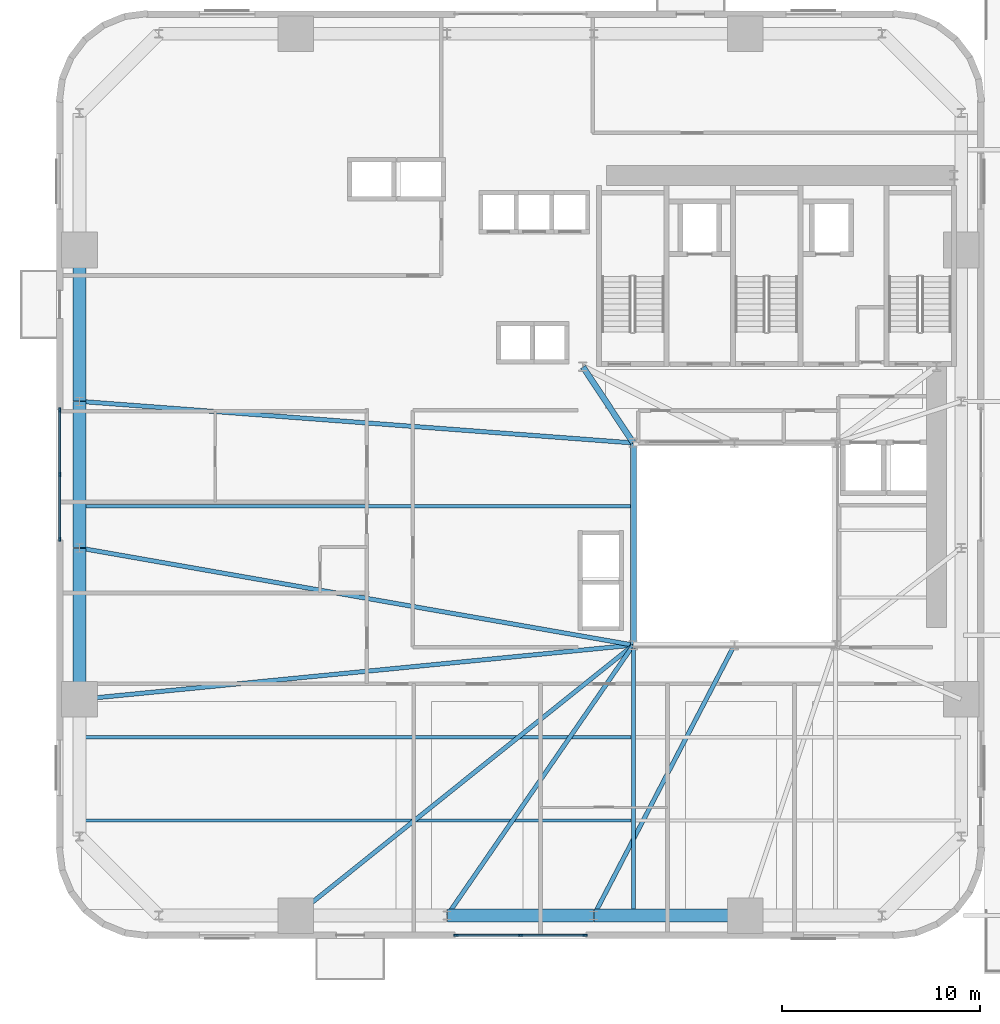
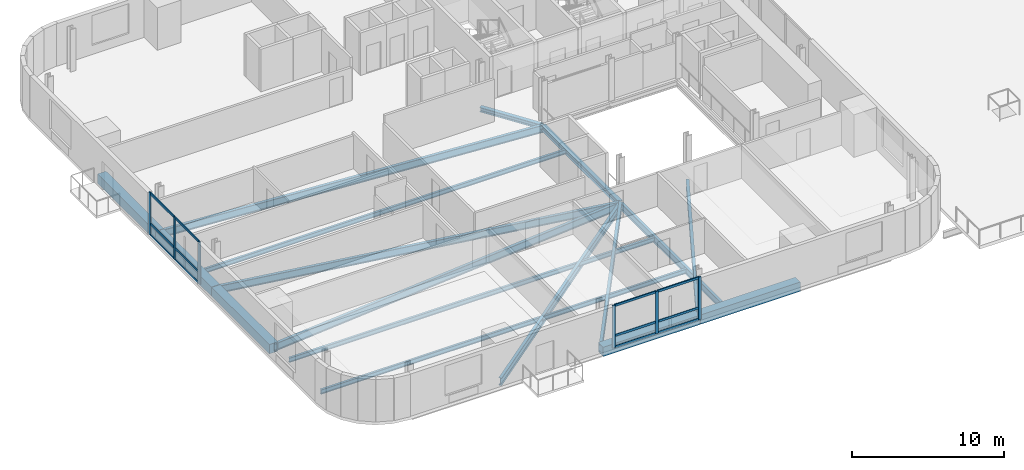
# One storey, part 2 of 18: 18 members, 17 beams, 2 elements without a shape of their own.
"""IFC4 building model written with IfcOpenShell, lengths in metres."""

import ifcopenshell
import ifcopenshell.guid

model = None  # the IFC model being written
_history = None  # IfcOwnerHistory: only IFC2X3 demands one
_inside = {}  # id of a spatial element -> (the spatial element, [elements in it])
_under = {}  # id of a project, library or spatial element -> (it, [spatial elements below it])
_declared = {}  # id of a project -> (the project, [libraries it declares])
_typed = {}  # id of a type object -> (the type object, [elements of that type])
_made_of = {}  # id of a material, layer set ... -> (it, [elements and type objects made of it])


def new_model(schema):
    """Start an empty IFC model of exactly this schema.

    Asked for "IFC4X3", IfcOpenShell would pick the latest addendum, in which some entities
    have other attributes; the version numbers below select the first issue.
    IFC2X3 requires an IfcOwnerHistory on every rooted entity: one is made here for all.
    """
    global model, _history
    if schema == "IFC4X3":
        model = ifcopenshell.file(schema_version=(4, 3, 0, 0))
    else:
        model = ifcopenshell.file(schema=schema)
    _inside.clear()
    _under.clear()
    _declared.clear()
    _typed.clear()
    _made_of.clear()
    _history = None
    if model.schema == "IFC2X3":
        org = make("IfcOrganization", Name="unknown")
        user = make(
            "IfcPersonAndOrganization",
            ThePerson=make("IfcPerson", FamilyName="unknown"),
            TheOrganization=org,
        )
        app = make(
            "IfcApplication",
            ApplicationDeveloper=org,
            Version="unknown",
            ApplicationFullName="unknown",
            ApplicationIdentifier="unknown",
        )
        _history = make(
            "IfcOwnerHistory",
            OwningUser=user,
            OwningApplication=app,
            ChangeAction="ADDED",
            CreationDate=0,
        )
    return model


def make(cls, **values):
    """One entity of the class cls with the attributes given. An attribute that is None is left unset."""
    return model.create_entity(
        cls, **{name: value for name, value in values.items() if value is not None}
    )


def rooted(cls, **values):
    """An entity with a GlobalId (a new one), such as an element, a storey or a relation."""
    return make(cls, GlobalId=ifcopenshell.guid.new(), OwnerHistory=_history, **values)


def si_unit(unit_type, name, prefix=None):
    """IfcSIUnit, for example si_unit("LENGTHUNIT", "METRE", prefix="MILLI")."""
    return make("IfcSIUnit", UnitType=unit_type, Prefix=prefix, Name=name)


def assignment(units):
    """IfcUnitAssignment: the units of a project."""
    return None if units is None else make("IfcUnitAssignment", Units=units)


def point(xyz):
    """IfcCartesianPoint."""
    return None if xyz is None else make("IfcCartesianPoint", Coordinates=xyz)


def direction(xyz):
    """IfcDirection."""
    return None if xyz is None else make("IfcDirection", DirectionRatios=xyz)


def frame(location, z_axis=None, x_axis=None):
    """IfcAxis2Placement3D, a coordinate frame: its origin and axes. An axis left out is left unset."""
    return make(
        "IfcAxis2Placement3D",
        Location=point(location),
        Axis=direction(z_axis),
        RefDirection=direction(x_axis),
    )


def frame_2d(location, x_axis=None):
    """IfcAxis2Placement2D, a coordinate frame in the plane: its origin and x axis."""
    return make(
        "IfcAxis2Placement2D", Location=point(location), RefDirection=direction(x_axis)
    )


def origin():
    """The frame at (0, 0, 0) with its axes left unset."""
    return frame((0.0, 0.0, 0.0))


def origin_2d():
    """The frame at (0, 0) in the plane with its x axis left unset."""
    return frame_2d((0.0, 0.0))


def place(relative_to, where):
    """IfcLocalPlacement: puts the frame where relative to a parent placement (None: the world)."""
    return make(
        "IfcLocalPlacement", PlacementRelTo=relative_to, RelativePlacement=where
    )


def context(
    kind, dimensions, precision=None, world=None, true_north=None, identifier=None
):
    """IfcGeometricRepresentationContext, for example the 3D "Model" context."""
    return make(
        "IfcGeometricRepresentationContext",
        ContextIdentifier=identifier,
        ContextType=kind,
        CoordinateSpaceDimension=dimensions,
        Precision=precision,
        WorldCoordinateSystem=world,
        TrueNorth=true_north,
    )


def subcontext(parent, identifier, kind, view, scale=None):
    """IfcGeometricRepresentationSubContext, for example "Body" below "Model"."""
    return make(
        "IfcGeometricRepresentationSubContext",
        ContextIdentifier=identifier,
        ContextType=kind,
        ParentContext=parent,
        TargetScale=scale,
        TargetView=view,
    )


def project(units=None, contexts=None):
    """IfcProject with its units and contexts."""
    return rooted(
        "IfcProject",
        Name="project",
        RepresentationContexts=contexts,
        UnitsInContext=assignment(units),
    )


def spatial(cls, under=None, at=None, **own):
    """A site, building, storey or space (cls), placed at a placement, below another one or the project."""
    s = rooted(cls, ObjectPlacement=at, **own)
    if under is not None:
        _under.setdefault(under.id(), (under, []))[1].append(s)
    return s


def profile(cls, at=None, kind="AREA", **sizes):
    """A parametric profile (cls). Its sizes go by their IFC names, for example OverallWidth=200.0."""
    return make(cls, ProfileType=kind, Position=at, **sizes)


def rectangle(**sizes):
    """IfcRectangleProfileDef."""
    return profile("IfcRectangleProfileDef", **sizes)


def i_section(**sizes):
    """IfcIShapeProfileDef."""
    return profile("IfcIShapeProfileDef", **sizes)


def extrude(swept, where, along, depth):
    """IfcExtrudedAreaSolid: the profile swept, set in the frame where, extruded along a direction by depth."""
    return make(
        "IfcExtrudedAreaSolid",
        SweptArea=swept,
        Position=where,
        ExtrudedDirection=direction(along),
        Depth=depth,
    )


def shape(context_of_items, identifier, shape_type, items):
    """IfcShapeRepresentation: the items that make up one representation, for example the "Body"."""
    return make(
        "IfcShapeRepresentation",
        ContextOfItems=context_of_items,
        RepresentationIdentifier=identifier,
        RepresentationType=shape_type,
        Items=items,
    )


def source(mapping_origin, context_of_items, identifier, shape_type, items):
    """IfcRepresentationMap: a shape defined once, which mapped items show again and again."""
    return make(
        "IfcRepresentationMap",
        MappingOrigin=mapping_origin,
        MappedRepresentation=shape(context_of_items, identifier, shape_type, items),
    )


def transform(
    local_origin,
    x_axis=None,
    y_axis=None,
    z_axis=None,
    scale=None,
    scale2=None,
    scale3=None,
    uniform=True,
):
    """IfcCartesianTransformationOperator3D, or its non-uniform kind. x_axis, y_axis, z_axis: its Axis1, 2, 3."""
    if uniform:
        return make(
            "IfcCartesianTransformationOperator3D",
            Axis1=direction(x_axis),
            Axis2=direction(y_axis),
            LocalOrigin=point(local_origin),
            Scale=scale,
            Axis3=direction(z_axis),
        )
    return make(
        "IfcCartesianTransformationOperator3DnonUniform",
        Axis1=direction(x_axis),
        Axis2=direction(y_axis),
        LocalOrigin=point(local_origin),
        Scale=scale,
        Axis3=direction(z_axis),
        Scale2=scale2,
        Scale3=scale3,
    )


def mapped(mapping_source, mapping_target):
    """IfcMappedItem: shows the shape of a source again, moved by a transform."""
    return make(
        "IfcMappedItem", MappingSource=mapping_source, MappingTarget=mapping_target
    )


def material(Name=None, Category=None):
    """IfcMaterial."""
    return make("IfcMaterial", Name=Name, Category=Category)


def material_profile(
    of_material, cross_section, Name=None, Category=None, Priority=None
):
    """IfcMaterialProfile: a cross section and its material."""
    return make(
        "IfcMaterialProfile",
        Name=Name,
        Material=of_material,
        Profile=cross_section,
        Priority=Priority,
        Category=Category,
    )


def profile_set(profiles, Name=None, composite=None):
    """IfcMaterialProfileSet."""
    return make(
        "IfcMaterialProfileSet",
        Name=Name,
        MaterialProfiles=profiles,
        CompositeProfile=composite,
    )


def made_of(thing, what):
    """Note that an element or type object is made of a material, layer set ...; save() writes the relation."""
    if what is not None:
        _made_of.setdefault(what.id(), (what, []))[1].append(thing)
    return thing


def type_object(cls, material=None, **own):
    """A type object (cls), such as IfcWallType, which elements share."""
    return made_of(rooted(cls, **own), material)


def element(
    cls,
    number,
    at=None,
    inside=None,
    cuts=None,
    type_object=None,
    material=None,
    context=None,
    identifier="Body",
    shape_type=None,
    held_by="IfcProductDefinitionShape",
    body=None,
    shapes=None,
    **own,
):
    """One element of the class cls, such as IfcWall. Its Tag is "e" and its number.

    at: its placement. inside: the storey or other place that contains it. cuts: it is an
    opening in that element (IfcRelVoidsElement). A single representation is given by context,
    identifier, shape_type and body (its items); several are given by shapes. held_by: the class
    of the entity that holds the representations. save() writes the other relations.
    """
    e = rooted(cls, Tag="e%d" % number, ObjectPlacement=at, **own)
    if body is not None:
        shapes = [shape(context, identifier, shape_type, body)]
    if shapes is not None:
        e.Representation = make(held_by, Representations=shapes)
    if inside is not None:
        _inside.setdefault(inside.id(), (inside, []))[1].append(e)
    if cuts is not None:
        rooted(
            "IfcRelVoidsElement", RelatingBuildingElement=cuts, RelatedOpeningElement=e
        )
    if type_object is not None:
        _typed.setdefault(type_object.id(), (type_object, []))[1].append(e)
    return made_of(e, material)


def aggregate(whole, parts):
    """IfcRelAggregates: a whole, such as a stair, and the parts it consists of."""
    return rooted("IfcRelAggregates", RelatingObject=whole, RelatedObjects=parts)


def save(model, path):
    """Write the relations noted so far, then the file.

    IfcRelAggregates (storeys below a building ...), IfcRelContainedInSpatialStructure (elements
    in a storey), IfcRelDefinesByType, IfcRelAssociatesMaterial and IfcRelDeclares: one each for
    every whole, place, type object, material and project.
    """
    for whole, parts in _under.values():
        aggregate(whole, parts)
    for where, things in _inside.values():
        rooted(
            "IfcRelContainedInSpatialStructure",
            RelatedElements=things,
            RelatingStructure=where,
        )
    for kind, things in _typed.values():
        rooted("IfcRelDefinesByType", RelatedObjects=things, RelatingType=kind)
    for what, things in _made_of.values():
        rooted("IfcRelAssociatesMaterial", RelatedObjects=things, RelatingMaterial=what)
    for by, libraries in _declared.values():
        rooted("IfcRelDeclares", RelatingContext=by, RelatedDefinitions=libraries)
    model.write(path)


model = new_model("IFC4")

# Units and contexts
model_context = context("Model", 3, precision=1e-05, world=origin(), true_north=direction((0.0, 1.0)))
body_context = subcontext(model_context, "Body", "Model", "MODEL_VIEW")
ifc_project = project(units=[si_unit("LENGTHUNIT", "METRE"), si_unit("AREAUNIT", "SQUARE_METRE"), si_unit("VOLUMEUNIT", "CUBIC_METRE"), si_unit("PLANEANGLEUNIT", "RADIAN"), si_unit("MASSUNIT", "GRAM", prefix="KILO")], contexts=[model_context])

# Site, building, storey
site_placement = place(None, origin())
site = spatial("IfcSite", under=ifc_project, at=site_placement, CompositionType="ELEMENT")
building_placement = place(site_placement, origin())
building = spatial("IfcBuilding", under=site, at=building_placement, Name="Vardaveli Station Tower", CompositionType="ELEMENT")
storey_placement = place(building_placement, frame((0.0, 0.0, 27.60009765625)))
storey = spatial("IfcBuildingStorey", under=building, at=storey_placement, Name="L06", CompositionType="ELEMENT", Elevation=27.60009765625)

# Beams
ifc_material_1 = material(Name="Structural steel S355J2", Category="steel")
ifc_material_profile_1 = material_profile(ifc_material_1, i_section(OverallWidth=0.300048828125, OverallDepth=0.449951171875, WebThickness=0.013916015625, FlangeThickness=0.02587890625, FilletRadius=0.027099609375, at=origin_2d()), Name="HEB 450")
ifc_profile_set_1 = profile_set([ifc_material_profile_1], Name="Structural steel S355J2")
beam_type_1 = type_object("IfcBeamType", Name="BM-HEB450", PredefinedType="BEAM", material=ifc_profile_set_1)
shared_shape_1 = source(origin(), body_context, "Body", "SweptSolid", [
    extrude(i_section(OverallWidth=0.300048828125, OverallDepth=0.449951171875, WebThickness=0.013916015625, FlangeThickness=0.02587890625, FilletRadius=0.027099609375, at=origin_2d()), origin(), (0.0, 0.0, 1.0), 10.159912109375),
])
beam_1_placement = place(storey_placement, frame((31.199951171875, 26.780029296875, -0.465087890625), z_axis=(0.0, -1.0, 0.0), x_axis=(1.0, 0.0, 0.0)))
element("IfcBeam", 1, at=beam_1_placement, inside=storey, type_object=beam_type_1, Name="ABM-L06-06", PredefinedType="BEAM", context=body_context, shape_type="MappedRepresentation", body=[
    mapped(shared_shape_1, transform((0.0, 0.0, 0.0), scale=1.0)),
])
ifc_material_profile_2 = material_profile(ifc_material_1, i_section(OverallWidth=0.300048828125, OverallDepth=0.360107421875, WebThickness=0.012451171875, FlangeThickness=0.0224609375, FilletRadius=0.027099609375, at=origin_2d()), Name="HEB 360")
ifc_profile_set_2 = profile_set([ifc_material_profile_2], Name="Structural steel S355J2")
beam_type_2 = type_object("IfcBeamType", Name="BM-HEB360", PredefinedType="BEAM", material=ifc_profile_set_2)
shared_shape_2 = source(origin(), body_context, "Body", "SweptSolid", [
    extrude(i_section(OverallWidth=0.300048828125, OverallDepth=0.360107421875, WebThickness=0.012451171875, FlangeThickness=0.0224609375, FilletRadius=0.027099609375, at=origin_2d()), origin(), (0.0, 0.0, 1.0), 4.577880859375),
])
beam_2_placement = place(storey_placement, frame((31.18896484375, 26.816650390625, -0.420166015625), z_axis=(-0.55218702139, 0.833720272879, 0.0), x_axis=(-0.833720272879, -0.55218702139, 0.0)))
element("IfcBeam", 2, at=beam_2_placement, inside=storey, type_object=beam_type_2, Name="CBM-L06-01", PredefinedType="BEAM", context=body_context, shape_type="MappedRepresentation", body=[
    mapped(shared_shape_2, transform((0.0, 0.0, 0.0), scale=1.0)),
])
ifc_material_2 = material(Name="Precast concrete C45/55", Category="concrete")
ifc_material_profile_3 = material_profile(ifc_material_2, rectangle(XDim=0.64990234375, YDim=0.75, at=origin_2d()), Name="LPB 650x750")
ifc_profile_set_3 = profile_set([ifc_material_profile_3], Name="Precast concrete C45/55")
beam_type_3 = type_object("IfcBeamType", Name="BM-LPB-750", PredefinedType="BEAM", material=ifc_profile_set_3)
shared_shape_3 = source(origin(), body_context, "Body", "SweptSolid", [
    extrude(rectangle(XDim=0.64990234375, YDim=0.75, at=origin_2d()), origin(), (0.0, 0.0, 1.0), 7.60009765625),
])
for number, where, z_axis, x_axis, name in (
    (3, (29.219970703125, 2.949951171875, -0.614990234375), (1.0, 0.0, 0.0), (0.0, 1.0, 0.0), "RBM-L06-03"),
    (4, (3.25, 36.52001953125, -0.614990234375), (0.0, -1.0, 0.0), (1.0, 0.0, 0.0), "RBM-L06-19"),
    (5, (3.25, 21.47998046875, -0.614990234375), (0.0, -1.0, 0.0), (1.0, 0.0, 0.0), "RBM-L06-21"),
):
    element("IfcBeam", number, at=place(storey_placement, frame(where, z_axis=z_axis, x_axis=x_axis)), inside=storey, type_object=beam_type_3, Name=name, PredefinedType="BEAM", context=body_context, shape_type="MappedRepresentation", body=[
        mapped(shared_shape_3, transform((0.0, 0.0, 0.0), scale=1.0)),
    ])
shared_shape_4 = source(origin(), body_context, "Body", "SweptSolid", [
    extrude(rectangle(XDim=0.64990234375, YDim=0.75, at=origin_2d()), origin(), (0.0, 0.0, 1.0), 7.35986328125),
])
for number, where, z_axis, x_axis, name in (
    (6, (21.820068359375, 2.949951171875, -0.614990234375), (1.0, 0.0, 0.0), (0.0, 1.0, 0.0), "RBM-L06-02"),
    (7, (3.25, 28.8798828125, -0.614990234375), (0.0, -1.0, 0.0), (1.0, 0.0, 0.0), "RBM-L06-20"),
):
    element("IfcBeam", number, at=place(storey_placement, frame(where, z_axis=z_axis, x_axis=x_axis)), inside=storey, type_object=beam_type_3, Name=name, PredefinedType="BEAM", context=body_context, shape_type="MappedRepresentation", body=[
        mapped(shared_shape_4, transform((0.0, 0.0, 0.0), scale=1.0)),
    ])
ifc_material_profile_4 = material_profile(ifc_material_1, i_section(OverallWidth=0.219970703125, OverallDepth=0.60009765625, WebThickness=0.011962890625, FlangeThickness=0.01904296875, FilletRadius=0.02392578125, at=origin_2d()), Name="IPE 600")
ifc_profile_set_4 = profile_set([ifc_material_profile_4], Name="Structural steel S355J2")
beam_type_4 = type_object("IfcBeamType", Name="BM-IPE600", PredefinedType="BEAM", material=ifc_profile_set_4)
shared_shape_5 = source(origin(), body_context, "Body", "SweptSolid", [
    extrude(i_section(OverallWidth=0.219970703125, OverallDepth=0.60009765625, WebThickness=0.011962890625, FlangeThickness=0.01904296875, FilletRadius=0.02392578125, at=origin_2d()), origin(), (0.0, 0.0, 1.0), 21.793212890625),
])
beam_3_placement = place(storey_placement, frame((14.175537109375, 2.96240234375, -0.5400390625), z_axis=(0.780466445023, 0.625197671296, 0.0), x_axis=(-0.625197671296, 0.780466445023, 0.0)))
element("IfcBeam", 8, at=beam_3_placement, inside=storey, type_object=beam_type_4, Name="GBM-L06-01", PredefinedType="BEAM", context=body_context, shape_type="MappedRepresentation", body=[
    mapped(shared_shape_5, transform((0.0, 0.0, 0.0), scale=1.0)),
])
shared_shape_6 = source(origin(), body_context, "Body", "SweptSolid", [
    extrude(i_section(OverallWidth=0.219970703125, OverallDepth=0.60009765625, WebThickness=0.011962890625, FlangeThickness=0.01904296875, FilletRadius=0.02392578125, at=origin_2d()), origin(), (0.0, 0.0, 1.0), 16.533447265625),
])
beam_4_placement = place(storey_placement, frame((21.811279296875, 2.966552734375, -0.5400390625), z_axis=(0.567177272103, 0.823595739431, 0.0), x_axis=(-0.823595739431, 0.567177272103, 0.0)))
element("IfcBeam", 9, at=beam_4_placement, inside=storey, type_object=beam_type_4, Name="GBM-L06-02", PredefinedType="BEAM", context=body_context, shape_type="MappedRepresentation", body=[
    mapped(shared_shape_6, transform((0.0, 0.0, 0.0), scale=1.0)),
])
shared_shape_7 = source(origin(), body_context, "Body", "SweptSolid", [
    extrude(i_section(OverallWidth=0.219970703125, OverallDepth=0.60009765625, WebThickness=0.011962890625, FlangeThickness=0.01904296875, FilletRadius=0.02392578125, at=origin_2d()), origin(), (0.0, 0.0, 1.0), 15.34619140625),
])
beam_5_placement = place(storey_placement, frame((29.209228515625, 2.9677734375, -0.5400390625), z_axis=(0.461455420507, 0.887163398075, 0.0), x_axis=(-0.887163398075, 0.461455420507, 0.0)))
element("IfcBeam", 10, at=beam_5_placement, inside=storey, type_object=beam_type_4, Name="GBM-L06-03", PredefinedType="BEAM", context=body_context, shape_type="MappedRepresentation", body=[
    mapped(shared_shape_7, transform((0.0, 0.0, 0.0), scale=1.0)),
])
shared_shape_8 = source(origin(), body_context, "Body", "SweptSolid", [
    extrude(i_section(OverallWidth=0.219970703125, OverallDepth=0.60009765625, WebThickness=0.011962890625, FlangeThickness=0.01904296875, FilletRadius=0.02392578125, at=origin_2d()), origin(), (0.0, 0.0, 1.0), 27.98876953125),
])
beam_6_placement = place(storey_placement, frame((3.27001953125, 28.8984375, -0.5400390625), z_axis=(0.99718954315, -0.074920057611, 0.0), x_axis=(0.074920057611, 0.99718954315, 0.0)))
element("IfcBeam", 11, at=beam_6_placement, inside=storey, type_object=beam_type_4, Name="GBM-L06-08", PredefinedType="BEAM", context=body_context, shape_type="MappedRepresentation", body=[
    mapped(shared_shape_8, transform((0.0, 0.0, 0.0), scale=1.0)),
])
shared_shape_9 = source(origin(), body_context, "Body", "SweptSolid", [
    extrude(i_section(OverallWidth=0.219970703125, OverallDepth=0.60009765625, WebThickness=0.011962890625, FlangeThickness=0.01904296875, FilletRadius=0.02392578125, at=origin_2d()), origin(), (0.0, 0.0, 1.0), 28.33642578125),
])
beam_7_placement = place(storey_placement, frame((3.269775390625, 21.49658203125, -0.5400390625), z_axis=(0.984978267336, -0.172678350921, 0.0), x_axis=(0.172678350921, 0.984978267336, 0.0)))
element("IfcBeam", 12, at=beam_7_placement, inside=storey, type_object=beam_type_4, Name="GBM-L06-09", PredefinedType="BEAM", context=body_context, shape_type="MappedRepresentation", body=[
    mapped(shared_shape_9, transform((0.0, 0.0, 0.0), scale=1.0)),
])
shared_shape_10 = source(origin(), body_context, "Body", "SweptSolid", [
    extrude(i_section(OverallWidth=0.219970703125, OverallDepth=0.60009765625, WebThickness=0.011962890625, FlangeThickness=0.01904296875, FilletRadius=0.02392578125, at=origin_2d()), origin(), (0.0, 0.0, 1.0), 28.0439453125),
])
beam_8_placement = place(storey_placement, frame((3.27001953125, 13.862060546875, -0.5400390625), z_axis=(0.995229237856, 0.097564153855, 0.0), x_axis=(-0.097564153855, 0.995229237856, 0.0)))
element("IfcBeam", 13, at=beam_8_placement, inside=storey, type_object=beam_type_4, Name="GBM-L06-10", PredefinedType="BEAM", context=body_context, shape_type="MappedRepresentation", body=[
    mapped(shared_shape_10, transform((0.0, 0.0, 0.0), scale=1.0)),
])
ifc_material_profile_5 = material_profile(ifc_material_1, i_section(OverallWidth=0.2099609375, OverallDepth=0.550048828125, WebThickness=0.010986328125, FlangeThickness=0.01708984375, FilletRadius=0.02392578125, at=origin_2d()), Name="IPE 550")
ifc_profile_set_5 = profile_set([ifc_material_profile_5], Name="Structural steel S355J2")
beam_type_5 = type_object("IfcBeamType", Name="BM-IPE550", PredefinedType="BEAM", material=ifc_profile_set_5)
shared_shape_11 = source(origin(), body_context, "Body", "SweptSolid", [
    extrude(i_section(OverallWidth=0.2099609375, OverallDepth=0.550048828125, WebThickness=0.010986328125, FlangeThickness=0.01708984375, FilletRadius=0.02392578125, at=origin_2d()), origin(), (0.0, 0.0, 1.0), 13.469970703125),
])
beam_9_placement = place(storey_placement, frame((31.199951171875, 2.989990234375, -0.51513671875), z_axis=(0.0, 1.0, 0.0), x_axis=(-1.0, 0.0, 0.0)))
element("IfcBeam", 14, at=beam_9_placement, inside=storey, type_object=beam_type_5, Name="NSM-L06-S1", PredefinedType="BEAM", context=body_context, shape_type="MappedRepresentation", body=[
    mapped(shared_shape_11, transform((0.0, 0.0, 0.0), scale=1.0)),
])
ifc_material_profile_6 = material_profile(ifc_material_1, i_section(OverallWidth=0.169921875, OverallDepth=0.360107421875, WebThickness=0.008056640625, FlangeThickness=0.0126953125, FilletRadius=0.01806640625, at=origin_2d()), Name="IPE 360")
ifc_profile_set_6 = profile_set([ifc_material_profile_6], Name="Structural steel S355J2")
beam_type_6 = type_object("IfcBeamType", Name="BM-IPE360", PredefinedType="JOIST", material=ifc_profile_set_6)
shared_shape_12 = source(origin(), body_context, "Body", "SweptSolid", [
    extrude(i_section(OverallWidth=0.169921875, OverallDepth=0.360107421875, WebThickness=0.008056640625, FlangeThickness=0.0126953125, FilletRadius=0.01806640625, at=origin_2d()), origin(), (0.0, 0.0, 1.0), 27.7978515625),
])
for number, where, z_axis, x_axis, name in (
    (15, (3.2900390625, 7.75, -0.420166015625), (1.0, 0.0, 0.0), (0.0, 1.0, 0.0), "SJ-L06-S01"),
    (16, (3.2900390625, 11.949951171875, -0.420166015625), (1.0, 0.0, 0.0), (0.0, 1.0, 0.0), "SJ-L06-S04"),
    (17, (3.2900390625, 23.60009765625, -0.420166015625), (1.0, 0.0, 0.0), (0.0, 1.0, 0.0), "SJ-L06-W08"),
):
    element("IfcBeam", number, at=place(storey_placement, frame(where, z_axis=z_axis, x_axis=x_axis)), inside=storey, type_object=beam_type_6, Name=name, PredefinedType="JOIST", context=body_context, shape_type="MappedRepresentation", body=[
        mapped(shared_shape_12, transform((0.0, 0.0, 0.0), scale=1.0)),
    ])

# Curtain wall, members
ifc_material_3 = material(Name="Travertine stone and solar-control glass", Category="masonry")
curtain_wall_type = type_object("IfcCurtainWallType", Name="CW-SYS-2", PredefinedType="NOTDEFINED", material=ifc_material_3)
curtain_wall_1_placement = place(storey_placement, origin())
curtain_wall_1 = element("IfcCurtainWall", 18, at=curtain_wall_1_placement, inside=storey, type_object=curtain_wall_type, Name="CW-L06-S", PredefinedType="NOTDEFINED")
ifc_material_4 = material(Name="Anodised aluminium alloy 6063-T6", Category="aluminium")
ifc_material_profile_7 = material_profile(ifc_material_4, rectangle(XDim=0.0849609375, YDim=0.219970703125, at=origin_2d()), Name="CWM 85x220")
ifc_profile_set_7 = profile_set([ifc_material_profile_7], Name="Anodised aluminium alloy 6063-T6")
member_type_1 = type_object("IfcMemberType", Name="CW-SYS-2-MULL", PredefinedType="MULLION", material=ifc_profile_set_7)
shared_shape_13 = source(origin(), body_context, "Body", "SweptSolid", [
    extrude(rectangle(XDim=0.0849609375, YDim=0.219970703125, at=origin_2d()), origin(), (0.0, 0.0, 1.0), 3.409912109375),
])
member_1_placement = place(storey_placement, frame((22.242431640625, 1.9599609375, 0.0), z_axis=(0.0, 0.0, 1.0), x_axis=(0.0, 1.0, 0.0)))
member_1 = element("IfcMember", 19, at=member_1_placement, type_object=member_type_1, Name="CW-2 mullion 1", PredefinedType="MULLION", context=body_context, shape_type="MappedRepresentation", body=[
    mapped(shared_shape_13, transform((0.0, 0.0, 0.0), scale=1.0)),
])
member_2_placement = place(storey_placement, frame((25.5, 1.9599609375, 0.0), z_axis=(0.0, 0.0, 1.0), x_axis=(0.0, 1.0, 0.0)))
member_2 = element("IfcMember", 20, at=member_2_placement, type_object=member_type_1, Name="CW-2 mullion 2", PredefinedType="MULLION", context=body_context, shape_type="MappedRepresentation", body=[
    mapped(shared_shape_13, transform((0.0, 0.0, 0.0), scale=1.0)),
])
member_3_placement = place(storey_placement, frame((28.757568359375, 1.9599609375, 0.0), z_axis=(0.0, 0.0, 1.0), x_axis=(0.0, 1.0, 0.0)))
member_3 = element("IfcMember", 21, at=member_3_placement, type_object=member_type_1, Name="CW-2 mullion 3", PredefinedType="MULLION", context=body_context, shape_type="MappedRepresentation", body=[
    mapped(shared_shape_13, transform((0.0, 0.0, 0.0), scale=1.0)),
])

curtain_wall_2_placement = place(storey_placement, origin())
curtain_wall_2 = element("IfcCurtainWall", 22, at=curtain_wall_2_placement, inside=storey, type_object=curtain_wall_type, Name="CW-L06-W", PredefinedType="NOTDEFINED")
member_4_placement = place(storey_placement, frame((2.260009765625, 28.45751953125, 0.0), z_axis=(0.0, 0.0, 1.0), x_axis=(1.0, 0.0, 0.0)))
member_4 = element("IfcMember", 23, at=member_4_placement, type_object=member_type_1, Name="CW-2 mullion 1", PredefinedType="MULLION", context=body_context, shape_type="MappedRepresentation", body=[
    mapped(shared_shape_13, transform((0.0, 0.0, 0.0), scale=1.0)),
])
member_5_placement = place(storey_placement, frame((2.260009765625, 25.199951171875, 0.0), z_axis=(0.0, 0.0, 1.0), x_axis=(1.0, 0.0, 0.0)))
member_5 = element("IfcMember", 24, at=member_5_placement, type_object=member_type_1, Name="CW-2 mullion 2", PredefinedType="MULLION", context=body_context, shape_type="MappedRepresentation", body=[
    mapped(shared_shape_13, transform((0.0, 0.0, 0.0), scale=1.0)),
])
member_6_placement = place(storey_placement, frame((2.260009765625, 21.9423828125, 0.0), z_axis=(0.0, 0.0, 1.0), x_axis=(1.0, 0.0, 0.0)))
member_6 = element("IfcMember", 25, at=member_6_placement, type_object=member_type_1, Name="CW-2 mullion 3", PredefinedType="MULLION", context=body_context, shape_type="MappedRepresentation", body=[
    mapped(shared_shape_13, transform((0.0, 0.0, 0.0), scale=1.0)),
])

# Member
ifc_material_profile_8 = material_profile(ifc_material_4, rectangle(XDim=0.0849609375, YDim=0.179931640625, at=origin_2d()), Name="CWT 85x180")
ifc_profile_set_8 = profile_set([ifc_material_profile_8], Name="Anodised aluminium alloy 6063-T6")
member_type_2 = type_object("IfcMemberType", Name="CW-SYS-2-TRAN", PredefinedType="NOTDEFINED", material=ifc_profile_set_8)
shared_shape_14 = source(origin(), body_context, "Body", "SweptSolid", [
    extrude(rectangle(XDim=0.0849609375, YDim=0.179931640625, at=origin_2d()), origin(), (0.0, 0.0, 1.0), 3.172607421875),
])
member_7_placement = place(storey_placement, frame((22.284912109375, 1.9599609375, 0.04248046875), z_axis=(1.0, 0.0, 0.0), x_axis=(0.0, 1.0, 0.0)))
member_7 = element("IfcMember", 26, at=member_7_placement, type_object=member_type_2, Name="CW-2 transom 1.1", ObjectType="TRANSOM", PredefinedType="USERDEFINED", context=body_context, shape_type="MappedRepresentation", body=[
    mapped(shared_shape_14, transform((0.0, 0.0, 0.0), scale=1.0)),
])

member_8_placement = place(storey_placement, frame((22.284912109375, 1.9599609375, 0.949951171875), z_axis=(1.0, 0.0, 0.0), x_axis=(0.0, 1.0, 0.0)))
member_8 = element("IfcMember", 27, at=member_8_placement, type_object=member_type_2, Name="CW-2 transom 1.2", ObjectType="TRANSOM", PredefinedType="USERDEFINED", context=body_context, shape_type="MappedRepresentation", body=[
    mapped(shared_shape_14, transform((0.0, 0.0, 0.0), scale=1.0)),
])

member_9_placement = place(storey_placement, frame((22.284912109375, 1.9599609375, 3.367431640625), z_axis=(1.0, 0.0, 0.0), x_axis=(0.0, 1.0, 0.0)))
member_9 = element("IfcMember", 28, at=member_9_placement, type_object=member_type_2, Name="CW-2 transom 1.3", ObjectType="TRANSOM", PredefinedType="USERDEFINED", context=body_context, shape_type="MappedRepresentation", body=[
    mapped(shared_shape_14, transform((0.0, 0.0, 0.0), scale=1.0)),
])

member_10_placement = place(storey_placement, frame((25.54248046875, 1.9599609375, 0.04248046875), z_axis=(1.0, 0.0, 0.0), x_axis=(0.0, 1.0, 0.0)))
member_10 = element("IfcMember", 29, at=member_10_placement, type_object=member_type_2, Name="CW-2 transom 2.1", ObjectType="TRANSOM", PredefinedType="USERDEFINED", context=body_context, shape_type="MappedRepresentation", body=[
    mapped(shared_shape_14, transform((0.0, 0.0, 0.0), scale=1.0)),
])

member_11_placement = place(storey_placement, frame((25.54248046875, 1.9599609375, 0.949951171875), z_axis=(1.0, 0.0, 0.0), x_axis=(0.0, 1.0, 0.0)))
member_11 = element("IfcMember", 30, at=member_11_placement, type_object=member_type_2, Name="CW-2 transom 2.2", ObjectType="TRANSOM", PredefinedType="USERDEFINED", context=body_context, shape_type="MappedRepresentation", body=[
    mapped(shared_shape_14, transform((0.0, 0.0, 0.0), scale=1.0)),
])

member_12_placement = place(storey_placement, frame((25.54248046875, 1.9599609375, 3.367431640625), z_axis=(1.0, 0.0, 0.0), x_axis=(0.0, 1.0, 0.0)))
member_12 = element("IfcMember", 31, at=member_12_placement, type_object=member_type_2, Name="CW-2 transom 2.3", ObjectType="TRANSOM", PredefinedType="USERDEFINED", context=body_context, shape_type="MappedRepresentation", body=[
    mapped(shared_shape_14, transform((0.0, 0.0, 0.0), scale=1.0)),
])

aggregate(curtain_wall_1, [member_1, member_2, member_3, member_7, member_8, member_9, member_10, member_11, member_12])

member_13_placement = place(storey_placement, frame((2.260009765625, 28.4150390625, 0.04248046875), z_axis=(0.0, -1.0, 0.0), x_axis=(1.0, 0.0, 0.0)))
member_13 = element("IfcMember", 32, at=member_13_placement, type_object=member_type_2, Name="CW-2 transom 1.1", ObjectType="TRANSOM", PredefinedType="USERDEFINED", context=body_context, shape_type="MappedRepresentation", body=[
    mapped(shared_shape_14, transform((0.0, 0.0, 0.0), scale=1.0)),
])

member_14_placement = place(storey_placement, frame((2.260009765625, 28.4150390625, 0.949951171875), z_axis=(0.0, -1.0, 0.0), x_axis=(1.0, 0.0, 0.0)))
member_14 = element("IfcMember", 33, at=member_14_placement, type_object=member_type_2, Name="CW-2 transom 1.2", ObjectType="TRANSOM", PredefinedType="USERDEFINED", context=body_context, shape_type="MappedRepresentation", body=[
    mapped(shared_shape_14, transform((0.0, 0.0, 0.0), scale=1.0)),
])

member_15_placement = place(storey_placement, frame((2.260009765625, 28.4150390625, 3.367431640625), z_axis=(0.0, -1.0, 0.0), x_axis=(1.0, 0.0, 0.0)))
member_15 = element("IfcMember", 34, at=member_15_placement, type_object=member_type_2, Name="CW-2 transom 1.3", ObjectType="TRANSOM", PredefinedType="USERDEFINED", context=body_context, shape_type="MappedRepresentation", body=[
    mapped(shared_shape_14, transform((0.0, 0.0, 0.0), scale=1.0)),
])

shared_shape_15 = source(origin(), body_context, "Body", "SweptSolid", [
    extrude(rectangle(XDim=0.0849609375, YDim=0.179931640625, at=origin_2d()), origin(), (0.0, 0.0, 1.0), 3.17236328125),
])
member_16_placement = place(storey_placement, frame((2.260009765625, 25.157470703125, 0.04248046875), z_axis=(0.0, -1.0, 0.0), x_axis=(1.0, 0.0, 0.0)))
member_16 = element("IfcMember", 35, at=member_16_placement, type_object=member_type_2, Name="CW-2 transom 2.1", ObjectType="TRANSOM", PredefinedType="USERDEFINED", context=body_context, shape_type="MappedRepresentation", body=[
    mapped(shared_shape_15, transform((0.0, 0.0, 0.0), scale=1.0)),
])

member_17_placement = place(storey_placement, frame((2.260009765625, 25.157470703125, 0.949951171875), z_axis=(0.0, -1.0, 0.0), x_axis=(1.0, 0.0, 0.0)))
member_17 = element("IfcMember", 36, at=member_17_placement, type_object=member_type_2, Name="CW-2 transom 2.2", ObjectType="TRANSOM", PredefinedType="USERDEFINED", context=body_context, shape_type="MappedRepresentation", body=[
    mapped(shared_shape_15, transform((0.0, 0.0, 0.0), scale=1.0)),
])

member_18_placement = place(storey_placement, frame((2.260009765625, 25.157470703125, 3.367431640625), z_axis=(0.0, -1.0, 0.0), x_axis=(1.0, 0.0, 0.0)))
member_18 = element("IfcMember", 37, at=member_18_placement, type_object=member_type_2, Name="CW-2 transom 2.3", ObjectType="TRANSOM", PredefinedType="USERDEFINED", context=body_context, shape_type="MappedRepresentation", body=[
    mapped(shared_shape_15, transform((0.0, 0.0, 0.0), scale=1.0)),
])

aggregate(curtain_wall_2, [member_4, member_5, member_6, member_13, member_14, member_15, member_16, member_17, member_18])

save(model, "model.ifc")
